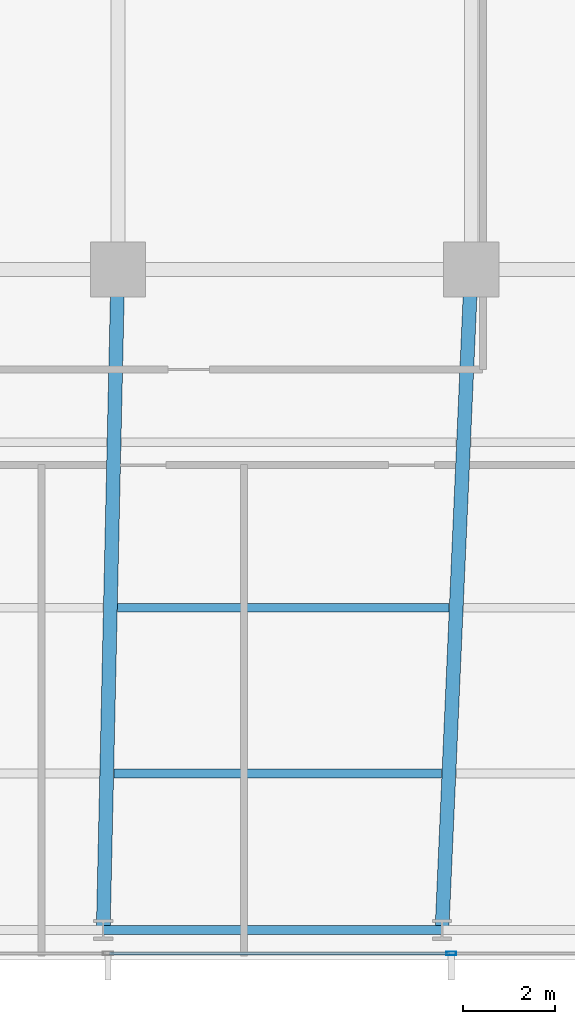
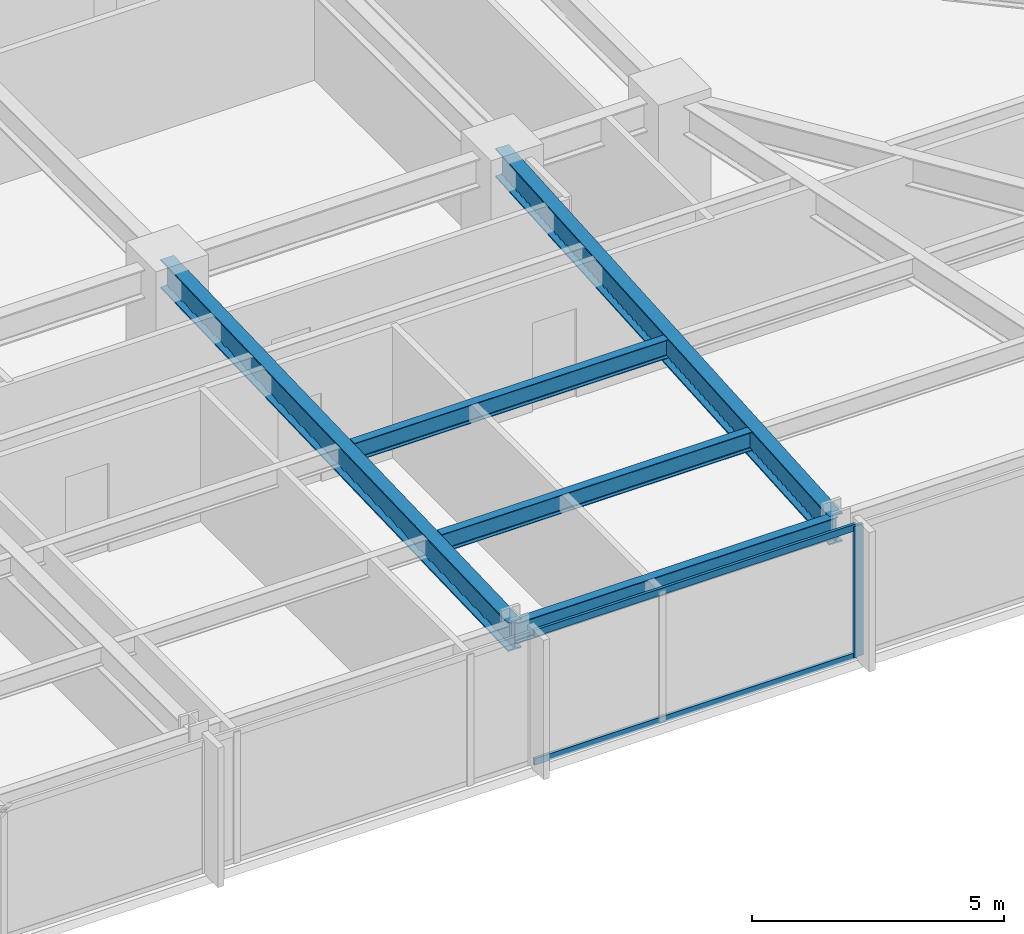
# One storey, part 12 of 33: 5 beams, 3 members, 1 element without a shape of its own.
"""IFC4 building model written with IfcOpenShell, lengths in metres."""

from ifc_helpers import new_model, si_unit, direction, frame, origin, origin_2d, place, context, subcontext, project, spatial, hollow_rectangle, i_section, extrude, material, material_profile, profile_set, type_object, element, aggregate, save


model = new_model("IFC4")

# Units and contexts
model_context = context("Model", 3, precision=1e-05, world=origin(), true_north=direction((0.0, 1.0)))
body_context = subcontext(model_context, "Body", "Model", "MODEL_VIEW")
ifc_project = project(units=[si_unit("LENGTHUNIT", "METRE"), si_unit("AREAUNIT", "SQUARE_METRE"), si_unit("VOLUMEUNIT", "CUBIC_METRE"), si_unit("PLANEANGLEUNIT", "RADIAN"), si_unit("MASSUNIT", "GRAM", prefix="KILO")], contexts=[model_context])

# Site, building, storey
site_placement = place(None, origin())
site = spatial("IfcSite", under=ifc_project, at=site_placement, CompositionType="ELEMENT")
building_placement = place(site_placement, origin())
building = spatial("IfcBuilding", under=site, at=building_placement, Name="Yelkora Congress Tower", CompositionType="ELEMENT")
storey_placement = place(building_placement, frame((0.0, 0.0, 37.199951171875)))
storey = spatial("IfcBuildingStorey", under=building, at=storey_placement, Name="L08", CompositionType="ELEMENT", Elevation=37.199951171875)

# Beams
ifc_material_1 = material(Name="Steel S355J2", Category="steel")
ifc_material_profile_1 = material_profile(ifc_material_1, i_section(OverallWidth=0.300048828125, OverallDepth=0.699951171875, WebThickness=0.01708984375, FlangeThickness=0.031982421875, FilletRadius=0.027099609375, at=origin_2d()), Name="HEB 700")
ifc_profile_set_1 = profile_set([ifc_material_profile_1], Name="Steel S355J2")
beam_type_1 = type_object("IfcBeamType", Name="BM-GIRD-HEB700", PredefinedType="BEAM", material=ifc_profile_set_1)
beam_1_placement = place(storey_placement, frame((45.762451171875, 10.85009765625, 2.830078125), z_axis=(0.022129088136, 0.999755121746, 0.0), x_axis=(-0.999755121746, 0.022129088136, 0.0)))
element("IfcBeam", 1, at=beam_1_placement, inside=storey, type_object=beam_type_1, Name="L08 Primary Frame Girder S06", PredefinedType="BEAM", context=body_context, shape_type="SweptSolid", body=[
    extrude(i_section(OverallWidth=0.300048828125, OverallDepth=0.699951171875, WebThickness=0.01708984375, FlangeThickness=0.031982421875, FilletRadius=0.027099609375, at=origin_2d()), origin(), (0.0, 0.0, 1.0), 14.353271484375),
])
beam_2_placement = place(storey_placement, frame((53.125, 10.85009765625, 2.830078125), z_axis=(0.044208738849, 0.999022315771, 0.0), x_axis=(-0.999022315771, 0.044208738849, 0.0)))
element("IfcBeam", 2, at=beam_2_placement, inside=storey, type_object=beam_type_1, Name="L08 Primary Frame Girder S07", PredefinedType="BEAM", context=body_context, shape_type="SweptSolid", body=[
    extrude(i_section(OverallWidth=0.300048828125, OverallDepth=0.699951171875, WebThickness=0.01708984375, FlangeThickness=0.031982421875, FilletRadius=0.027099609375, at=origin_2d()), origin(), (0.0, 0.0, 1.0), 14.364013671875),
])
ifc_material_profile_2 = material_profile(ifc_material_1, i_section(OverallWidth=0.18994140625, OverallDepth=0.449951171875, WebThickness=0.009521484375, FlangeThickness=0.0146484375, FilletRadius=0.02099609375, at=origin_2d()), Name="IPE 450")
ifc_profile_set_2 = profile_set([ifc_material_profile_2], Name="Steel S355J2")
beam_type_2 = type_object("IfcBeamType", Name="BM-JOIST-IPE450", PredefinedType="JOIST", material=ifc_profile_set_2)
beam_3_placement = place(storey_placement, frame((45.997802734375, 14.25, 2.955078125), z_axis=(1.0, 0.0, 0.0), x_axis=(0.0, 1.0, 0.0)))
element("IfcBeam", 3, at=beam_3_placement, inside=storey, type_object=beam_type_2, Name="L08 Composite Floor Joist 6", PredefinedType="JOIST", context=body_context, shape_type="SweptSolid", body=[
    extrude(i_section(OverallWidth=0.18994140625, OverallDepth=0.449951171875, WebThickness=0.009521484375, FlangeThickness=0.0146484375, FilletRadius=0.02099609375, at=origin_2d()), origin(), (0.0, 0.0, 1.0), 7.11767578125),
])
beam_4_placement = place(storey_placement, frame((46.077392578125, 17.85009765625, 2.955078125), z_axis=(1.0, 0.0, 0.0), x_axis=(0.0, 1.0, 0.0)))
element("IfcBeam", 4, at=beam_4_placement, inside=storey, type_object=beam_type_2, Name="L08 Composite Floor Joist 14", PredefinedType="JOIST", context=body_context, shape_type="SweptSolid", body=[
    extrude(i_section(OverallWidth=0.18994140625, OverallDepth=0.449951171875, WebThickness=0.009521484375, FlangeThickness=0.0146484375, FilletRadius=0.02099609375, at=origin_2d()), origin(), (0.0, 0.0, 1.0), 7.197509765625),
])
ifc_material_profile_3 = material_profile(ifc_material_1, i_section(OverallWidth=0.199951171875, OverallDepth=0.5, WebThickness=0.01025390625, FlangeThickness=0.01611328125, FilletRadius=0.02099609375, at=origin_2d()), Name="IPE 500")
ifc_profile_set_3 = profile_set([ifc_material_profile_3], Name="Steel S355J2")
beam_type_3 = type_object("IfcBeamType", Name="BM-SPAN-IPE500", PredefinedType="SPANDREL", material=ifc_profile_set_3)
beam_5_placement = place(storey_placement, frame((45.762451171875, 10.85009765625, 2.929931640625), z_axis=(1.0, 0.0, 0.0), x_axis=(0.0, 1.0, 0.0)))
element("IfcBeam", 5, at=beam_5_placement, inside=storey, type_object=beam_type_3, Name="L08 Perimeter Beam 7", PredefinedType="SPANDREL", context=body_context, shape_type="SweptSolid", body=[
    extrude(i_section(OverallWidth=0.199951171875, OverallDepth=0.5, WebThickness=0.01025390625, FlangeThickness=0.01611328125, FilletRadius=0.02099609375, at=origin_2d()), origin(), (0.0, 0.0, 1.0), 7.362548828125),
])

# Curtain wall, members
ifc_material_2 = material(Name="Anodised aluminium and insulated glass", Category="aluminium")
curtain_wall_type = type_object("IfcCurtainWallType", Name="CW-SYS-B1", PredefinedType="NOTDEFINED", material=ifc_material_2)
curtain_wall_placement = place(storey_placement, origin())
curtain_wall = element("IfcCurtainWall", 6, at=curtain_wall_placement, inside=storey, type_object=curtain_wall_type, Name="L08 Unitised Curtain Wall 20", PredefinedType="NOTDEFINED")
ifc_material_3 = material(Name="Anodised aluminium 6063-T6", Category="aluminium")
ifc_material_profile_4 = material_profile(ifc_material_3, hollow_rectangle(XDim=0.074951171875, YDim=0.219970703125, WallThickness=0.0048828125, at=origin_2d()), Name="ALU 75x220x5")
ifc_profile_set_4 = profile_set([ifc_material_profile_4], Name="Anodised aluminium 6063-T6")
member_type_1 = type_object("IfcMemberType", Name="MEM-ML-B1", PredefinedType="MULLION", material=ifc_profile_set_4)
member_1_placement = place(storey_placement, frame((53.330078125, 10.340087890625, 0.0), z_axis=(0.0, 0.0, 1.0), x_axis=(0.0, -1.0, 0.0)))
member_1 = element("IfcMember", 7, at=member_1_placement, type_object=member_type_1, Name="CW-B1 mullion 3", PredefinedType="MULLION", context=body_context, shape_type="SweptSolid", body=[
    extrude(hollow_rectangle(XDim=0.074951171875, YDim=0.219970703125, WallThickness=0.0048828125, at=origin_2d()), origin(), (0.0, 0.0, 1.0), 3.179931640625),
])
ifc_material_profile_5 = material_profile(ifc_material_3, hollow_rectangle(XDim=0.06494140625, YDim=0.159912109375, WallThickness=0.00390625, at=origin_2d()), Name="ALU 65x160x4")
ifc_profile_set_5 = profile_set([ifc_material_profile_5], Name="Anodised aluminium 6063-T6")
member_type_2 = type_object("IfcMemberType", Name="MEM-TR-B1", PredefinedType="USERDEFINED", material=ifc_profile_set_5)
member_2_placement = place(storey_placement, frame((53.29248046875, 10.340087890625, 0.032470703125), z_axis=(-1.0, 0.0, 0.0), x_axis=(0.0, -1.0, 0.0)))
member_2 = element("IfcMember", 8, at=member_2_placement, type_object=member_type_2, Name="CW-B1 transom 3.1", ObjectType="TRANSOM", PredefinedType="USERDEFINED", context=body_context, shape_type="SweptSolid", body=[
    extrude(hollow_rectangle(XDim=0.06494140625, YDim=0.159912109375, WallThickness=0.00390625, at=origin_2d()), origin(), (0.0, 0.0, 1.0), 7.389892578125),
])
member_3_placement = place(storey_placement, frame((53.29248046875, 10.340087890625, 3.1474609375), z_axis=(-1.0, 0.0, 0.0), x_axis=(0.0, -1.0, 0.0)))
member_3 = element("IfcMember", 9, at=member_3_placement, type_object=member_type_2, Name="CW-B1 transom 3.2", ObjectType="TRANSOM", PredefinedType="USERDEFINED", context=body_context, shape_type="SweptSolid", body=[
    extrude(hollow_rectangle(XDim=0.06494140625, YDim=0.159912109375, WallThickness=0.00390625, at=origin_2d()), origin(), (0.0, 0.0, 1.0), 7.389892578125),
])
aggregate(curtain_wall, [member_1, member_2, member_3])

save(model, "model.ifc")
